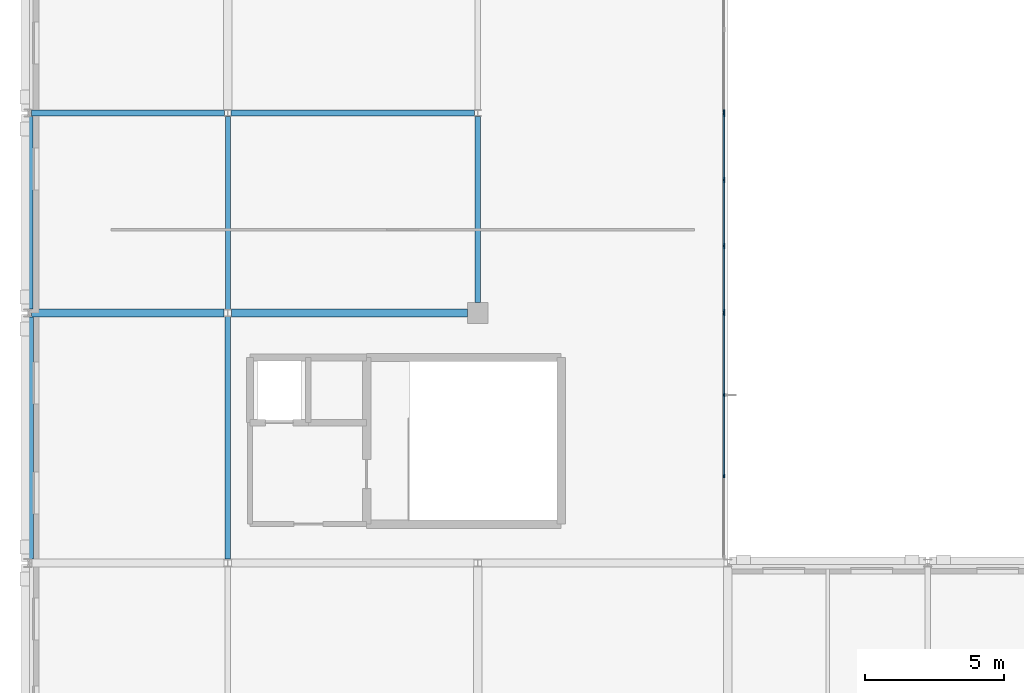
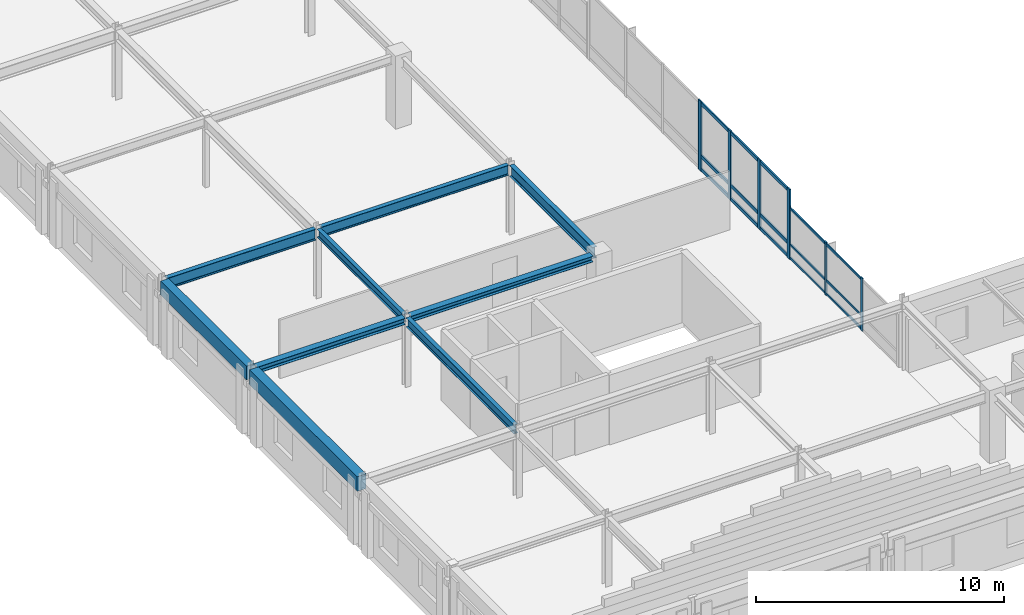
# One storey, part 17 of 74: 23 members, 9 beams, 3 elements without a shape of their own.
"""IFC4 building model written with IfcOpenShell, lengths in metres."""

import ifcopenshell
import ifcopenshell.guid

model = None  # the IFC model being written
_history = None  # IfcOwnerHistory: only IFC2X3 demands one
_inside = {}  # id of a spatial element -> (the spatial element, [elements in it])
_under = {}  # id of a project, library or spatial element -> (it, [spatial elements below it])
_declared = {}  # id of a project -> (the project, [libraries it declares])
_typed = {}  # id of a type object -> (the type object, [elements of that type])
_made_of = {}  # id of a material, layer set ... -> (it, [elements and type objects made of it])


def new_model(schema):
    """Start an empty IFC model of exactly this schema.

    Asked for "IFC4X3", IfcOpenShell would pick the latest addendum, in which some entities
    have other attributes; the version numbers below select the first issue.
    IFC2X3 requires an IfcOwnerHistory on every rooted entity: one is made here for all.
    """
    global model, _history
    if schema == "IFC4X3":
        model = ifcopenshell.file(schema_version=(4, 3, 0, 0))
    else:
        model = ifcopenshell.file(schema=schema)
    _inside.clear()
    _under.clear()
    _declared.clear()
    _typed.clear()
    _made_of.clear()
    _history = None
    if model.schema == "IFC2X3":
        org = make("IfcOrganization", Name="unknown")
        user = make(
            "IfcPersonAndOrganization",
            ThePerson=make("IfcPerson", FamilyName="unknown"),
            TheOrganization=org,
        )
        app = make(
            "IfcApplication",
            ApplicationDeveloper=org,
            Version="unknown",
            ApplicationFullName="unknown",
            ApplicationIdentifier="unknown",
        )
        _history = make(
            "IfcOwnerHistory",
            OwningUser=user,
            OwningApplication=app,
            ChangeAction="ADDED",
            CreationDate=0,
        )
    return model


def make(cls, **values):
    """One entity of the class cls with the attributes given. An attribute that is None is left unset."""
    return model.create_entity(
        cls, **{name: value for name, value in values.items() if value is not None}
    )


def rooted(cls, **values):
    """An entity with a GlobalId (a new one), such as an element, a storey or a relation."""
    return make(cls, GlobalId=ifcopenshell.guid.new(), OwnerHistory=_history, **values)


def si_unit(unit_type, name, prefix=None):
    """IfcSIUnit, for example si_unit("LENGTHUNIT", "METRE", prefix="MILLI")."""
    return make("IfcSIUnit", UnitType=unit_type, Prefix=prefix, Name=name)


def assignment(units):
    """IfcUnitAssignment: the units of a project."""
    return None if units is None else make("IfcUnitAssignment", Units=units)


def point(xyz):
    """IfcCartesianPoint."""
    return None if xyz is None else make("IfcCartesianPoint", Coordinates=xyz)


def direction(xyz):
    """IfcDirection."""
    return None if xyz is None else make("IfcDirection", DirectionRatios=xyz)


def frame(location, z_axis=None, x_axis=None):
    """IfcAxis2Placement3D, a coordinate frame: its origin and axes. An axis left out is left unset."""
    return make(
        "IfcAxis2Placement3D",
        Location=point(location),
        Axis=direction(z_axis),
        RefDirection=direction(x_axis),
    )


def frame_2d(location, x_axis=None):
    """IfcAxis2Placement2D, a coordinate frame in the plane: its origin and x axis."""
    return make(
        "IfcAxis2Placement2D", Location=point(location), RefDirection=direction(x_axis)
    )


def origin():
    """The frame at (0, 0, 0) with its axes left unset."""
    return frame((0.0, 0.0, 0.0))


def origin_2d():
    """The frame at (0, 0) in the plane with its x axis left unset."""
    return frame_2d((0.0, 0.0))


def place(relative_to, where):
    """IfcLocalPlacement: puts the frame where relative to a parent placement (None: the world)."""
    return make(
        "IfcLocalPlacement", PlacementRelTo=relative_to, RelativePlacement=where
    )


def context(
    kind, dimensions, precision=None, world=None, true_north=None, identifier=None
):
    """IfcGeometricRepresentationContext, for example the 3D "Model" context."""
    return make(
        "IfcGeometricRepresentationContext",
        ContextIdentifier=identifier,
        ContextType=kind,
        CoordinateSpaceDimension=dimensions,
        Precision=precision,
        WorldCoordinateSystem=world,
        TrueNorth=true_north,
    )


def subcontext(parent, identifier, kind, view, scale=None):
    """IfcGeometricRepresentationSubContext, for example "Body" below "Model"."""
    return make(
        "IfcGeometricRepresentationSubContext",
        ContextIdentifier=identifier,
        ContextType=kind,
        ParentContext=parent,
        TargetScale=scale,
        TargetView=view,
    )


def project(units=None, contexts=None):
    """IfcProject with its units and contexts."""
    return rooted(
        "IfcProject",
        Name="project",
        RepresentationContexts=contexts,
        UnitsInContext=assignment(units),
    )


def spatial(cls, under=None, at=None, **own):
    """A site, building, storey or space (cls), placed at a placement, below another one or the project."""
    s = rooted(cls, ObjectPlacement=at, **own)
    if under is not None:
        _under.setdefault(under.id(), (under, []))[1].append(s)
    return s


def profile(cls, at=None, kind="AREA", **sizes):
    """A parametric profile (cls). Its sizes go by their IFC names, for example OverallWidth=200.0."""
    return make(cls, ProfileType=kind, Position=at, **sizes)


def rectangle(**sizes):
    """IfcRectangleProfileDef."""
    return profile("IfcRectangleProfileDef", **sizes)


def i_section(**sizes):
    """IfcIShapeProfileDef."""
    return profile("IfcIShapeProfileDef", **sizes)


def extrude(swept, where, along, depth):
    """IfcExtrudedAreaSolid: the profile swept, set in the frame where, extruded along a direction by depth."""
    return make(
        "IfcExtrudedAreaSolid",
        SweptArea=swept,
        Position=where,
        ExtrudedDirection=direction(along),
        Depth=depth,
    )


def shape(context_of_items, identifier, shape_type, items):
    """IfcShapeRepresentation: the items that make up one representation, for example the "Body"."""
    return make(
        "IfcShapeRepresentation",
        ContextOfItems=context_of_items,
        RepresentationIdentifier=identifier,
        RepresentationType=shape_type,
        Items=items,
    )


def material(Name=None, Category=None):
    """IfcMaterial."""
    return make("IfcMaterial", Name=Name, Category=Category)


def material_profile(
    of_material, cross_section, Name=None, Category=None, Priority=None
):
    """IfcMaterialProfile: a cross section and its material."""
    return make(
        "IfcMaterialProfile",
        Name=Name,
        Material=of_material,
        Profile=cross_section,
        Priority=Priority,
        Category=Category,
    )


def profile_set(profiles, Name=None, composite=None):
    """IfcMaterialProfileSet."""
    return make(
        "IfcMaterialProfileSet",
        Name=Name,
        MaterialProfiles=profiles,
        CompositeProfile=composite,
    )


def made_of(thing, what):
    """Note that an element or type object is made of a material, layer set ...; save() writes the relation."""
    if what is not None:
        _made_of.setdefault(what.id(), (what, []))[1].append(thing)
    return thing


def type_object(cls, material=None, **own):
    """A type object (cls), such as IfcWallType, which elements share."""
    return made_of(rooted(cls, **own), material)


def element(
    cls,
    number,
    at=None,
    inside=None,
    cuts=None,
    type_object=None,
    material=None,
    context=None,
    identifier="Body",
    shape_type=None,
    held_by="IfcProductDefinitionShape",
    body=None,
    shapes=None,
    **own,
):
    """One element of the class cls, such as IfcWall. Its Tag is "e" and its number.

    at: its placement. inside: the storey or other place that contains it. cuts: it is an
    opening in that element (IfcRelVoidsElement). A single representation is given by context,
    identifier, shape_type and body (its items); several are given by shapes. held_by: the class
    of the entity that holds the representations. save() writes the other relations.
    """
    e = rooted(cls, Tag="e%d" % number, ObjectPlacement=at, **own)
    if body is not None:
        shapes = [shape(context, identifier, shape_type, body)]
    if shapes is not None:
        e.Representation = make(held_by, Representations=shapes)
    if inside is not None:
        _inside.setdefault(inside.id(), (inside, []))[1].append(e)
    if cuts is not None:
        rooted(
            "IfcRelVoidsElement", RelatingBuildingElement=cuts, RelatedOpeningElement=e
        )
    if type_object is not None:
        _typed.setdefault(type_object.id(), (type_object, []))[1].append(e)
    return made_of(e, material)


def aggregate(whole, parts):
    """IfcRelAggregates: a whole, such as a stair, and the parts it consists of."""
    return rooted("IfcRelAggregates", RelatingObject=whole, RelatedObjects=parts)


def save(model, path):
    """Write the relations noted so far, then the file.

    IfcRelAggregates (storeys below a building ...), IfcRelContainedInSpatialStructure (elements
    in a storey), IfcRelDefinesByType, IfcRelAssociatesMaterial and IfcRelDeclares: one each for
    every whole, place, type object, material and project.
    """
    for whole, parts in _under.values():
        aggregate(whole, parts)
    for where, things in _inside.values():
        rooted(
            "IfcRelContainedInSpatialStructure",
            RelatedElements=things,
            RelatingStructure=where,
        )
    for kind, things in _typed.values():
        rooted("IfcRelDefinesByType", RelatedObjects=things, RelatingType=kind)
    for what, things in _made_of.values():
        rooted("IfcRelAssociatesMaterial", RelatedObjects=things, RelatingMaterial=what)
    for by, libraries in _declared.values():
        rooted("IfcRelDeclares", RelatingContext=by, RelatedDefinitions=libraries)
    model.write(path)


model = new_model("IFC4")

# Units and contexts
model_context = context("Model", 3, precision=1e-05, world=origin(), true_north=direction((0.0, 1.0)))
body_context = subcontext(model_context, "Body", "Model", "MODEL_VIEW")
ifc_project = project(units=[si_unit("LENGTHUNIT", "METRE"), si_unit("AREAUNIT", "SQUARE_METRE"), si_unit("VOLUMEUNIT", "CUBIC_METRE"), si_unit("PLANEANGLEUNIT", "RADIAN"), si_unit("MASSUNIT", "GRAM", prefix="KILO")], contexts=[model_context])

# Site, building, storey
site_placement = place(None, origin())
site = spatial("IfcSite", under=ifc_project, at=site_placement, CompositionType="ELEMENT")
building_placement = place(site_placement, origin())
building = spatial("IfcBuilding", under=site, at=building_placement, Name="Clarverna Civic Hall", CompositionType="ELEMENT")
storey_placement = place(building_placement, frame((0.0, 0.0, 13.199951171875)))
storey = spatial("IfcBuildingStorey", under=building, at=storey_placement, Name="L03", CompositionType="ELEMENT", Elevation=13.199951171875)

# Beams
ifc_material_1 = material(Name="Concrete C35/45", Category="concrete")
ifc_material_profile_1 = material_profile(ifc_material_1, rectangle(XDim=0.419921875, YDim=0.719970703125, at=origin_2d()), Name="RC 420x720")
ifc_profile_set_1 = profile_set([ifc_material_profile_1], Name="Concrete C35/45")
beam_type_1 = type_object("IfcBeamType", Name="B-SP1", PredefinedType="SPANDREL", material=ifc_profile_set_1)
beam_1_placement = place(storey_placement, frame((0.0, 14.14990234375, 3.080078125), z_axis=(0.0, 1.0, 0.0), x_axis=(-1.0, 0.0, 0.0)))
element("IfcBeam", 1, at=beam_1_placement, inside=storey, type_object=beam_type_1, Name="B-SP1-118", PredefinedType="SPANDREL", context=body_context, shape_type="SweptSolid", body=[
    extrude(rectangle(XDim=0.419921875, YDim=0.719970703125, at=origin_2d()), origin(), (0.0, 0.0, 1.0), 8.710205078125),
])
ifc_material_profile_2 = material_profile(ifc_material_1, rectangle(XDim=0.3798828125, YDim=0.679931640625, at=origin_2d()), Name="RC 380x680")
ifc_profile_set_2 = profile_set([ifc_material_profile_2], Name="Concrete C35/45")
beam_type_2 = type_object("IfcBeamType", Name="B-SP2", PredefinedType="SPANDREL", material=ifc_profile_set_2)
beam_2_placement = place(storey_placement, frame((0.0, 23.139892578125, 3.10009765625), z_axis=(0.0, 1.0, 0.0), x_axis=(-1.0, 0.0, 0.0)))
element("IfcBeam", 2, at=beam_2_placement, inside=storey, type_object=beam_type_2, Name="B-SP2-123", PredefinedType="SPANDREL", context=body_context, shape_type="SweptSolid", body=[
    extrude(rectangle(XDim=0.3798828125, YDim=0.679931640625, at=origin_2d()), origin(), (0.0, 0.0, 1.0), 6.93017578125),
])
ifc_material_2 = material(Name="Steel S355", Category="steel")
ifc_material_profile_3 = material_profile(ifc_material_2, i_section(OverallWidth=0.300048828125, OverallDepth=0.2900390625, WebThickness=0.008544921875, FlangeThickness=0.013916015625, FilletRadius=0.027099609375, at=origin_2d()), Name="HEA 300")
ifc_profile_set_3 = profile_set([ifc_material_profile_3], Name="Steel S355")
beam_type_3 = type_object("IfcBeamType", Name="B-ST10", PredefinedType="BEAM", material=ifc_profile_set_3)
beam_3_placement = place(storey_placement, frame((7.330078125, 23.0, 3.295166015625), z_axis=(1.0, 0.0, 0.0), x_axis=(0.0, 1.0, 0.0)))
element("IfcBeam", 3, at=beam_3_placement, inside=storey, type_object=beam_type_3, Name="B-ST10-011", PredefinedType="BEAM", context=body_context, shape_type="SweptSolid", body=[
    extrude(i_section(OverallWidth=0.300048828125, OverallDepth=0.2900390625, WebThickness=0.008544921875, FlangeThickness=0.013916015625, FilletRadius=0.027099609375, at=origin_2d()), origin(), (0.0, 0.0, 1.0), 8.494873046875),
])
ifc_material_profile_4 = material_profile(ifc_material_2, i_section(OverallWidth=0.2099609375, OverallDepth=0.550048828125, WebThickness=0.010986328125, FlangeThickness=0.01708984375, FilletRadius=0.02392578125, at=origin_2d()), Name="IPE 550")
ifc_profile_set_4 = profile_set([ifc_material_profile_4], Name="Steel S355")
beam_type_4 = type_object("IfcBeamType", Name="B-ST11", PredefinedType="BEAM", material=ifc_profile_set_4)
beam_4_placement = place(storey_placement, frame((0.1298828125, 30.199951171875, 3.1650390625), z_axis=(1.0, 0.0, 0.0), x_axis=(0.0, 1.0, 0.0)))
element("IfcBeam", 4, at=beam_4_placement, inside=storey, type_object=beam_type_4, Name="B-ST11-014", PredefinedType="BEAM", context=body_context, shape_type="SweptSolid", body=[
    extrude(i_section(OverallWidth=0.2099609375, OverallDepth=0.550048828125, WebThickness=0.010986328125, FlangeThickness=0.01708984375, FilletRadius=0.02392578125, at=origin_2d()), origin(), (0.0, 0.0, 1.0), 6.9501953125),
])
beam_5_placement = place(storey_placement, frame((16.199951171875, 23.375, 3.1650390625), z_axis=(0.0, 1.0, 0.0), x_axis=(-1.0, 0.0, 0.0)))
element("IfcBeam", 5, at=beam_5_placement, inside=storey, type_object=beam_type_4, Name="B-ST11-017", PredefinedType="BEAM", context=body_context, shape_type="SweptSolid", body=[
    extrude(i_section(OverallWidth=0.2099609375, OverallDepth=0.550048828125, WebThickness=0.010986328125, FlangeThickness=0.01708984375, FilletRadius=0.02392578125, at=origin_2d()), origin(), (0.0, 0.0, 1.0), 6.705078125),
])
ifc_material_profile_5 = material_profile(ifc_material_2, i_section(OverallWidth=0.199951171875, OverallDepth=0.5, WebThickness=0.01025390625, FlangeThickness=0.01611328125, FilletRadius=0.02099609375, at=origin_2d()), Name="IPE 500")
ifc_profile_set_5 = profile_set([ifc_material_profile_5], Name="Steel S355")
beam_type_5 = type_object("IfcBeamType", Name="B-ST12", PredefinedType="BEAM", material=ifc_profile_set_5)
beam_6_placement = place(storey_placement, frame((7.320068359375, 30.199951171875, 3.18994140625), z_axis=(1.0, 0.0, 0.0), x_axis=(0.0, 1.0, 0.0)))
element("IfcBeam", 6, at=beam_6_placement, inside=storey, type_object=beam_type_5, Name="B-ST12-013", PredefinedType="BEAM", context=body_context, shape_type="SweptSolid", body=[
    extrude(i_section(OverallWidth=0.199951171875, OverallDepth=0.5, WebThickness=0.01025390625, FlangeThickness=0.01611328125, FilletRadius=0.02099609375, at=origin_2d()), origin(), (0.0, 0.0, 1.0), 8.760009765625),
])
ifc_material_profile_6 = material_profile(ifc_material_2, i_section(OverallWidth=0.18994140625, OverallDepth=0.449951171875, WebThickness=0.009521484375, FlangeThickness=0.0146484375, FilletRadius=0.02099609375, at=origin_2d()), Name="IPE 450")
ifc_profile_set_6 = profile_set([ifc_material_profile_6], Name="Steel S355")
beam_type_6 = type_object("IfcBeamType", Name="B-ST13", PredefinedType="BEAM", material=ifc_profile_set_6)
beam_7_placement = place(storey_placement, frame((7.199951171875, 14.139892578125, 3.215087890625), z_axis=(0.0, 1.0, 0.0), x_axis=(-1.0, 0.0, 0.0)))
element("IfcBeam", 7, at=beam_7_placement, inside=storey, type_object=beam_type_6, Name="B-ST13-015", PredefinedType="BEAM", context=body_context, shape_type="SweptSolid", body=[
    extrude(i_section(OverallWidth=0.18994140625, OverallDepth=0.449951171875, WebThickness=0.009521484375, FlangeThickness=0.0146484375, FilletRadius=0.02099609375, at=origin_2d()), origin(), (0.0, 0.0, 1.0), 8.730224609375),
])
ifc_material_profile_7 = material_profile(ifc_material_2, i_section(OverallWidth=0.179931640625, OverallDepth=0.39990234375, WebThickness=0.008544921875, FlangeThickness=0.013427734375, FilletRadius=0.02099609375, at=origin_2d()), Name="IPE 400")
ifc_profile_set_7 = profile_set([ifc_material_profile_7], Name="Steel S355")
beam_type_7 = type_object("IfcBeamType", Name="B-ST14", PredefinedType="BEAM", material=ifc_profile_set_7)
beam_8_placement = place(storey_placement, frame((7.199951171875, 23.1298828125, 3.239990234375), z_axis=(0.0, 1.0, 0.0), x_axis=(-1.0, 0.0, 0.0)))
element("IfcBeam", 8, at=beam_8_placement, inside=storey, type_object=beam_type_7, Name="B-ST14-017", PredefinedType="BEAM", context=body_context, shape_type="SweptSolid", body=[
    extrude(i_section(OverallWidth=0.179931640625, OverallDepth=0.39990234375, WebThickness=0.008544921875, FlangeThickness=0.013427734375, FilletRadius=0.02099609375, at=origin_2d()), origin(), (0.0, 0.0, 1.0), 6.9501953125),
])
ifc_material_profile_8 = material_profile(ifc_material_2, i_section(OverallWidth=0.300048828125, OverallDepth=0.31005859375, WebThickness=0.009033203125, FlangeThickness=0.015380859375, FilletRadius=0.027099609375, at=origin_2d()), Name="HEA 320")
ifc_profile_set_8 = profile_set([ifc_material_profile_8], Name="Steel S355")
beam_type_8 = type_object("IfcBeamType", Name="B-ST9", PredefinedType="BEAM", material=ifc_profile_set_8)
beam_9_placement = place(storey_placement, frame((0.139892578125, 23.0, 3.28515625), z_axis=(1.0, 0.0, 0.0), x_axis=(0.0, 1.0, 0.0)))
element("IfcBeam", 9, at=beam_9_placement, inside=storey, type_object=beam_type_8, Name="B-ST9-086", PredefinedType="BEAM", context=body_context, shape_type="SweptSolid", body=[
    extrude(i_section(OverallWidth=0.300048828125, OverallDepth=0.31005859375, WebThickness=0.009033203125, FlangeThickness=0.015380859375, FilletRadius=0.027099609375, at=origin_2d()), origin(), (0.0, 0.0, 1.0), 6.93017578125),
])

# Curtain wall, member
ifc_material_3 = material(Name="Anodised Bronze Architectural Aluminium", Category="aluminium")
curtain_wall_type = type_object("IfcCurtainWallType", Name="CW-05", PredefinedType="USERDEFINED", material=ifc_material_3)
curtain_wall_1_placement = place(storey_placement, origin())
curtain_wall_1 = element("IfcCurtainWall", 10, at=curtain_wall_1_placement, inside=storey, type_object=curtain_wall_type, Name="CW-05-018", ObjectType="UNITISED CURTAIN WALL", PredefinedType="USERDEFINED")
ifc_material_profile_9 = material_profile(ifc_material_3, rectangle(XDim=0.06005859375, YDim=0.159912109375, at=origin_2d()), Name="BRONZE 60x160")
ifc_profile_set_9 = profile_set([ifc_material_profile_9], Name="Anodised Bronze Architectural Aluminium")
member_type_1 = type_object("IfcMemberType", Name="CWM-02", PredefinedType="MULLION", material=ifc_profile_set_9)
member_1_placement = place(storey_placement, frame((25.06005859375, 30.23291015625, 0.0), z_axis=(0.0, 0.0, 1.0), x_axis=(1.0, 0.0, 0.0)))
member_1 = element("IfcMember", 11, at=member_1_placement, type_object=member_type_1, Name="CWM-02-187", PredefinedType="MULLION", context=body_context, shape_type="SweptSolid", body=[
    extrude(rectangle(XDim=0.06005859375, YDim=0.159912109375, at=origin_2d()), origin(), (0.0, 0.0, 1.0), 3.43994140625),
])
aggregate(curtain_wall_1, [member_1])

# Curtain wall, members
curtain_wall_2_placement = place(storey_placement, origin())
curtain_wall_2 = element("IfcCurtainWall", 12, at=curtain_wall_2_placement, inside=storey, type_object=curtain_wall_type, Name="CW-05-019", ObjectType="UNITISED CURTAIN WALL", PredefinedType="USERDEFINED")
ifc_material_profile_10 = material_profile(ifc_material_3, rectangle(XDim=0.06494140625, YDim=0.199951171875, at=origin_2d()), Name="BRONZE 65x200")
ifc_profile_set_10 = profile_set([ifc_material_profile_10], Name="Anodised Bronze Architectural Aluminium")
member_type_2 = type_object("IfcMemberType", Name="CWM-03", PredefinedType="MULLION", material=ifc_profile_set_10)
member_2_placement = place(storey_placement, frame((25.06005859375, 30.1669921875, 0.0), z_axis=(0.0, 0.0, 1.0), x_axis=(1.0, 0.0, 0.0)))
member_2 = element("IfcMember", 13, at=member_2_placement, type_object=member_type_2, Name="CWM-03-147", PredefinedType="MULLION", context=body_context, shape_type="SweptSolid", body=[
    extrude(rectangle(XDim=0.06494140625, YDim=0.199951171875, at=origin_2d()), origin(), (0.0, 0.0, 1.0), 3.43994140625),
])
member_3_placement = place(storey_placement, frame((25.06005859375, 27.7890625, 0.0), z_axis=(0.0, 0.0, 1.0), x_axis=(1.0, 0.0, 0.0)))
member_3 = element("IfcMember", 14, at=member_3_placement, type_object=member_type_2, Name="CWM-03-148", PredefinedType="MULLION", context=body_context, shape_type="SweptSolid", body=[
    extrude(rectangle(XDim=0.06494140625, YDim=0.199951171875, at=origin_2d()), origin(), (0.0, 0.0, 1.0), 3.43994140625),
])
member_4_placement = place(storey_placement, frame((25.06005859375, 25.410888671875, 0.0), z_axis=(0.0, 0.0, 1.0), x_axis=(1.0, 0.0, 0.0)))
member_4 = element("IfcMember", 15, at=member_4_placement, type_object=member_type_2, Name="CWM-03-149", PredefinedType="MULLION", context=body_context, shape_type="SweptSolid", body=[
    extrude(rectangle(XDim=0.06494140625, YDim=0.199951171875, at=origin_2d()), origin(), (0.0, 0.0, 1.0), 3.43994140625),
])
member_5_placement = place(storey_placement, frame((25.06005859375, 23.032958984375, 0.0), z_axis=(0.0, 0.0, 1.0), x_axis=(1.0, 0.0, 0.0)))
member_5 = element("IfcMember", 16, at=member_5_placement, type_object=member_type_2, Name="CWM-03-150", PredefinedType="MULLION", context=body_context, shape_type="SweptSolid", body=[
    extrude(rectangle(XDim=0.06494140625, YDim=0.199951171875, at=origin_2d()), origin(), (0.0, 0.0, 1.0), 3.43994140625),
])

curtain_wall_3_placement = place(storey_placement, origin())
curtain_wall_3 = element("IfcCurtainWall", 17, at=curtain_wall_3_placement, inside=storey, type_object=curtain_wall_type, Name="CW-05-020", ObjectType="UNITISED CURTAIN WALL", PredefinedType="USERDEFINED")
ifc_material_profile_11 = material_profile(ifc_material_3, rectangle(XDim=0.054931640625, YDim=0.139892578125, at=origin_2d()), Name="BRONZE 55x140")
ifc_profile_set_11 = profile_set([ifc_material_profile_11], Name="Anodised Bronze Architectural Aluminium")
member_type_3 = type_object("IfcMemberType", Name="CWM-04", PredefinedType="MULLION", material=ifc_profile_set_11)
member_6_placement = place(storey_placement, frame((25.06005859375, 22.967041015625, 0.0), z_axis=(0.0, 0.0, 1.0), x_axis=(1.0, 0.0, 0.0)))
member_6 = element("IfcMember", 18, at=member_6_placement, type_object=member_type_3, Name="CWM-04-188", PredefinedType="MULLION", context=body_context, shape_type="SweptSolid", body=[
    extrude(rectangle(XDim=0.054931640625, YDim=0.139892578125, at=origin_2d()), origin(), (0.0, 0.0, 1.0), 2.6201171875),
])
member_7_placement = place(storey_placement, frame((25.06005859375, 20.049072265625, 0.0), z_axis=(0.0, 0.0, 1.0), x_axis=(1.0, 0.0, 0.0)))
member_7 = element("IfcMember", 19, at=member_7_placement, type_object=member_type_3, Name="CWM-04-189", PredefinedType="MULLION", context=body_context, shape_type="SweptSolid", body=[
    extrude(rectangle(XDim=0.054931640625, YDim=0.139892578125, at=origin_2d()), origin(), (0.0, 0.0, 1.0), 2.6201171875),
])
member_8_placement = place(storey_placement, frame((25.06005859375, 17.131103515625, 0.0), z_axis=(0.0, 0.0, 1.0), x_axis=(1.0, 0.0, 0.0)))
member_8 = element("IfcMember", 20, at=member_8_placement, type_object=member_type_3, Name="CWM-04-190", PredefinedType="MULLION", context=body_context, shape_type="SweptSolid", body=[
    extrude(rectangle(XDim=0.054931640625, YDim=0.139892578125, at=origin_2d()), origin(), (0.0, 0.0, 1.0), 2.6201171875),
])

# Member
ifc_material_profile_12 = material_profile(ifc_material_3, rectangle(XDim=0.06494140625, YDim=0.169921875, at=origin_2d()), Name="BRONZE 65x170")
ifc_profile_set_12 = profile_set([ifc_material_profile_12], Name="Anodised Bronze Architectural Aluminium")
member_type_4 = type_object("IfcMemberType", Name="CWT-03", PredefinedType="USERDEFINED", material=ifc_profile_set_12)
member_9_placement = place(storey_placement, frame((25.06005859375, 30.152099609375, 0.094970703125), z_axis=(0.0, -1.0, 0.0), x_axis=(1.0, 0.0, 0.0)))
member_9 = element("IfcMember", 21, at=member_9_placement, type_object=member_type_4, Name="CWT-03-313", ObjectType="TRANSOM", PredefinedType="USERDEFINED", context=body_context, shape_type="SweptSolid", body=[
    extrude(rectangle(XDim=0.06494140625, YDim=0.169921875, at=origin_2d()), origin(), (0.0, 0.0, 1.0), 2.34814453125),
])

member_10_placement = place(storey_placement, frame((25.06005859375, 30.152099609375, 0.75), z_axis=(0.0, -1.0, 0.0), x_axis=(1.0, 0.0, 0.0)))
member_10 = element("IfcMember", 22, at=member_10_placement, type_object=member_type_4, Name="CWT-03-314", ObjectType="TRANSOM", PredefinedType="USERDEFINED", context=body_context, shape_type="SweptSolid", body=[
    extrude(rectangle(XDim=0.06494140625, YDim=0.169921875, at=origin_2d()), origin(), (0.0, 0.0, 1.0), 2.34814453125),
])

member_11_placement = place(storey_placement, frame((25.06005859375, 30.152099609375, 3.344970703125), z_axis=(0.0, -1.0, 0.0), x_axis=(1.0, 0.0, 0.0)))
member_11 = element("IfcMember", 23, at=member_11_placement, type_object=member_type_4, Name="CWT-03-315", ObjectType="TRANSOM", PredefinedType="USERDEFINED", context=body_context, shape_type="SweptSolid", body=[
    extrude(rectangle(XDim=0.06494140625, YDim=0.169921875, at=origin_2d()), origin(), (0.0, 0.0, 1.0), 2.34814453125),
])

member_12_placement = place(storey_placement, frame((25.06005859375, 27.77392578125, 0.094970703125), z_axis=(0.0, -1.0, 0.0), x_axis=(1.0, 0.0, 0.0)))
member_12 = element("IfcMember", 24, at=member_12_placement, type_object=member_type_4, Name="CWT-03-316", ObjectType="TRANSOM", PredefinedType="USERDEFINED", context=body_context, shape_type="SweptSolid", body=[
    extrude(rectangle(XDim=0.06494140625, YDim=0.169921875, at=origin_2d()), origin(), (0.0, 0.0, 1.0), 2.347900390625),
])

member_13_placement = place(storey_placement, frame((25.06005859375, 27.77392578125, 0.75), z_axis=(0.0, -1.0, 0.0), x_axis=(1.0, 0.0, 0.0)))
member_13 = element("IfcMember", 25, at=member_13_placement, type_object=member_type_4, Name="CWT-03-317", ObjectType="TRANSOM", PredefinedType="USERDEFINED", context=body_context, shape_type="SweptSolid", body=[
    extrude(rectangle(XDim=0.06494140625, YDim=0.169921875, at=origin_2d()), origin(), (0.0, 0.0, 1.0), 2.347900390625),
])

member_14_placement = place(storey_placement, frame((25.06005859375, 27.77392578125, 3.344970703125), z_axis=(0.0, -1.0, 0.0), x_axis=(1.0, 0.0, 0.0)))
member_14 = element("IfcMember", 26, at=member_14_placement, type_object=member_type_4, Name="CWT-03-318", ObjectType="TRANSOM", PredefinedType="USERDEFINED", context=body_context, shape_type="SweptSolid", body=[
    extrude(rectangle(XDim=0.06494140625, YDim=0.169921875, at=origin_2d()), origin(), (0.0, 0.0, 1.0), 2.347900390625),
])

member_15_placement = place(storey_placement, frame((25.06005859375, 25.39599609375, 0.094970703125), z_axis=(0.0, -1.0, 0.0), x_axis=(1.0, 0.0, 0.0)))
member_15 = element("IfcMember", 27, at=member_15_placement, type_object=member_type_4, Name="CWT-03-319", ObjectType="TRANSOM", PredefinedType="USERDEFINED", context=body_context, shape_type="SweptSolid", body=[
    extrude(rectangle(XDim=0.06494140625, YDim=0.169921875, at=origin_2d()), origin(), (0.0, 0.0, 1.0), 2.347900390625),
])

member_16_placement = place(storey_placement, frame((25.06005859375, 25.39599609375, 0.75), z_axis=(0.0, -1.0, 0.0), x_axis=(1.0, 0.0, 0.0)))
member_16 = element("IfcMember", 28, at=member_16_placement, type_object=member_type_4, Name="CWT-03-320", ObjectType="TRANSOM", PredefinedType="USERDEFINED", context=body_context, shape_type="SweptSolid", body=[
    extrude(rectangle(XDim=0.06494140625, YDim=0.169921875, at=origin_2d()), origin(), (0.0, 0.0, 1.0), 2.347900390625),
])

member_17_placement = place(storey_placement, frame((25.06005859375, 25.39599609375, 3.344970703125), z_axis=(0.0, -1.0, 0.0), x_axis=(1.0, 0.0, 0.0)))
member_17 = element("IfcMember", 29, at=member_17_placement, type_object=member_type_4, Name="CWT-03-321", ObjectType="TRANSOM", PredefinedType="USERDEFINED", context=body_context, shape_type="SweptSolid", body=[
    extrude(rectangle(XDim=0.06494140625, YDim=0.169921875, at=origin_2d()), origin(), (0.0, 0.0, 1.0), 2.347900390625),
])

aggregate(curtain_wall_2, [member_2, member_3, member_4, member_5, member_9, member_10, member_11, member_12, member_13, member_14, member_15, member_16, member_17])

ifc_material_profile_13 = material_profile(ifc_material_3, rectangle(XDim=0.054931640625, YDim=0.110107421875, at=origin_2d()), Name="BRONZE 55x110")
ifc_profile_set_13 = profile_set([ifc_material_profile_13], Name="Anodised Bronze Architectural Aluminium")
member_type_5 = type_object("IfcMemberType", Name="CWT-04", PredefinedType="USERDEFINED", material=ifc_profile_set_13)
member_18_placement = place(storey_placement, frame((25.06005859375, 22.951904296875, 0.094970703125), z_axis=(0.0, -1.0, 0.0), x_axis=(1.0, 0.0, 0.0)))
member_18 = element("IfcMember", 30, at=member_18_placement, type_object=member_type_5, Name="CWT-04-397", ObjectType="TRANSOM", PredefinedType="USERDEFINED", context=body_context, shape_type="SweptSolid", body=[
    extrude(rectangle(XDim=0.054931640625, YDim=0.110107421875, at=origin_2d()), origin(), (0.0, 0.0, 1.0), 2.887939453125),
])

member_19_placement = place(storey_placement, frame((25.06005859375, 22.951904296875, 0.75), z_axis=(0.0, -1.0, 0.0), x_axis=(1.0, 0.0, 0.0)))
member_19 = element("IfcMember", 31, at=member_19_placement, type_object=member_type_5, Name="CWT-04-398", ObjectType="TRANSOM", PredefinedType="USERDEFINED", context=body_context, shape_type="SweptSolid", body=[
    extrude(rectangle(XDim=0.054931640625, YDim=0.110107421875, at=origin_2d()), origin(), (0.0, 0.0, 1.0), 2.887939453125),
])

member_20_placement = place(storey_placement, frame((25.06005859375, 22.951904296875, 2.525146484375), z_axis=(0.0, -1.0, 0.0), x_axis=(1.0, 0.0, 0.0)))
member_20 = element("IfcMember", 32, at=member_20_placement, type_object=member_type_5, Name="CWT-04-399", ObjectType="TRANSOM", PredefinedType="USERDEFINED", context=body_context, shape_type="SweptSolid", body=[
    extrude(rectangle(XDim=0.054931640625, YDim=0.110107421875, at=origin_2d()), origin(), (0.0, 0.0, 1.0), 2.887939453125),
])

member_21_placement = place(storey_placement, frame((25.06005859375, 20.033935546875, 0.094970703125), z_axis=(0.0, -1.0, 0.0), x_axis=(1.0, 0.0, 0.0)))
member_21 = element("IfcMember", 33, at=member_21_placement, type_object=member_type_5, Name="CWT-04-400", ObjectType="TRANSOM", PredefinedType="USERDEFINED", context=body_context, shape_type="SweptSolid", body=[
    extrude(rectangle(XDim=0.054931640625, YDim=0.110107421875, at=origin_2d()), origin(), (0.0, 0.0, 1.0), 2.887939453125),
])

member_22_placement = place(storey_placement, frame((25.06005859375, 20.033935546875, 0.75), z_axis=(0.0, -1.0, 0.0), x_axis=(1.0, 0.0, 0.0)))
member_22 = element("IfcMember", 34, at=member_22_placement, type_object=member_type_5, Name="CWT-04-401", ObjectType="TRANSOM", PredefinedType="USERDEFINED", context=body_context, shape_type="SweptSolid", body=[
    extrude(rectangle(XDim=0.054931640625, YDim=0.110107421875, at=origin_2d()), origin(), (0.0, 0.0, 1.0), 2.887939453125),
])

member_23_placement = place(storey_placement, frame((25.06005859375, 20.033935546875, 2.525146484375), z_axis=(0.0, -1.0, 0.0), x_axis=(1.0, 0.0, 0.0)))
member_23 = element("IfcMember", 35, at=member_23_placement, type_object=member_type_5, Name="CWT-04-402", ObjectType="TRANSOM", PredefinedType="USERDEFINED", context=body_context, shape_type="SweptSolid", body=[
    extrude(rectangle(XDim=0.054931640625, YDim=0.110107421875, at=origin_2d()), origin(), (0.0, 0.0, 1.0), 2.887939453125),
])

aggregate(curtain_wall_3, [member_6, member_7, member_8, member_18, member_19, member_20, member_21, member_22, member_23])

save(model, "model.ifc")
